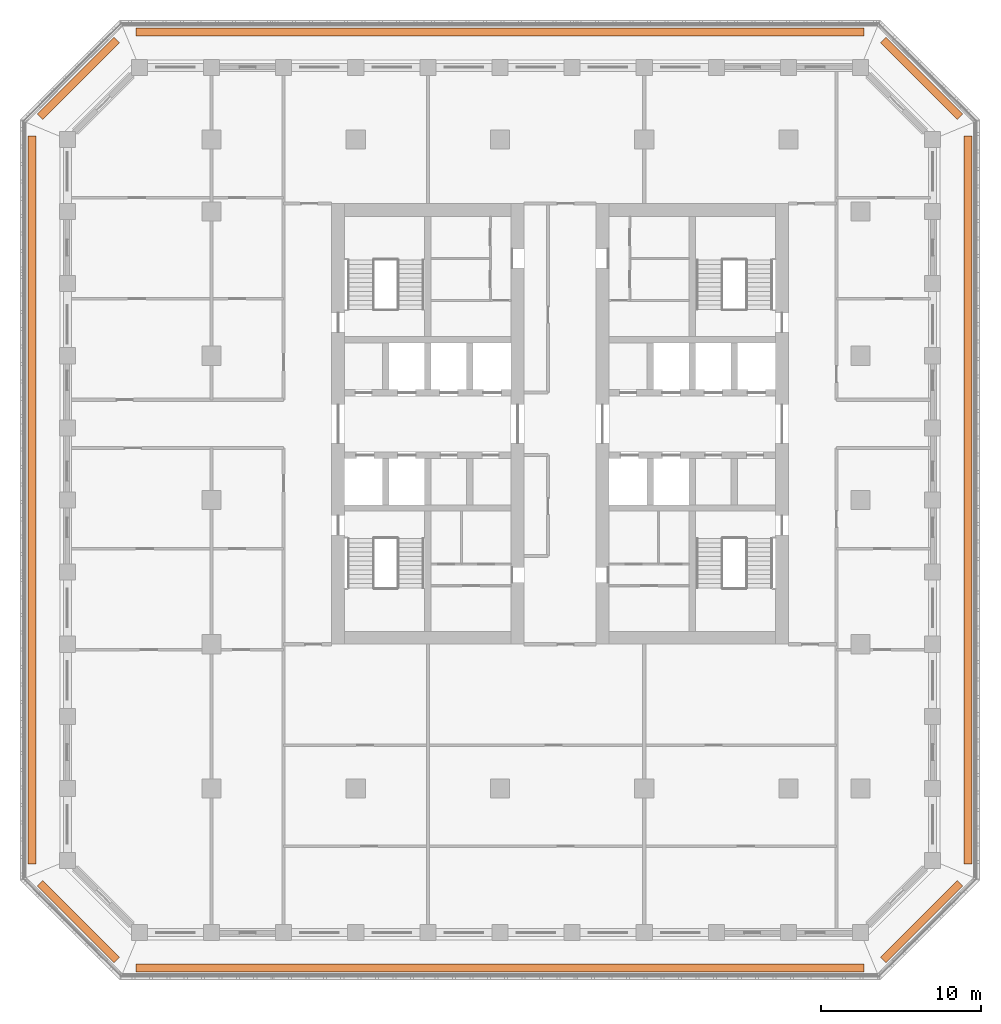
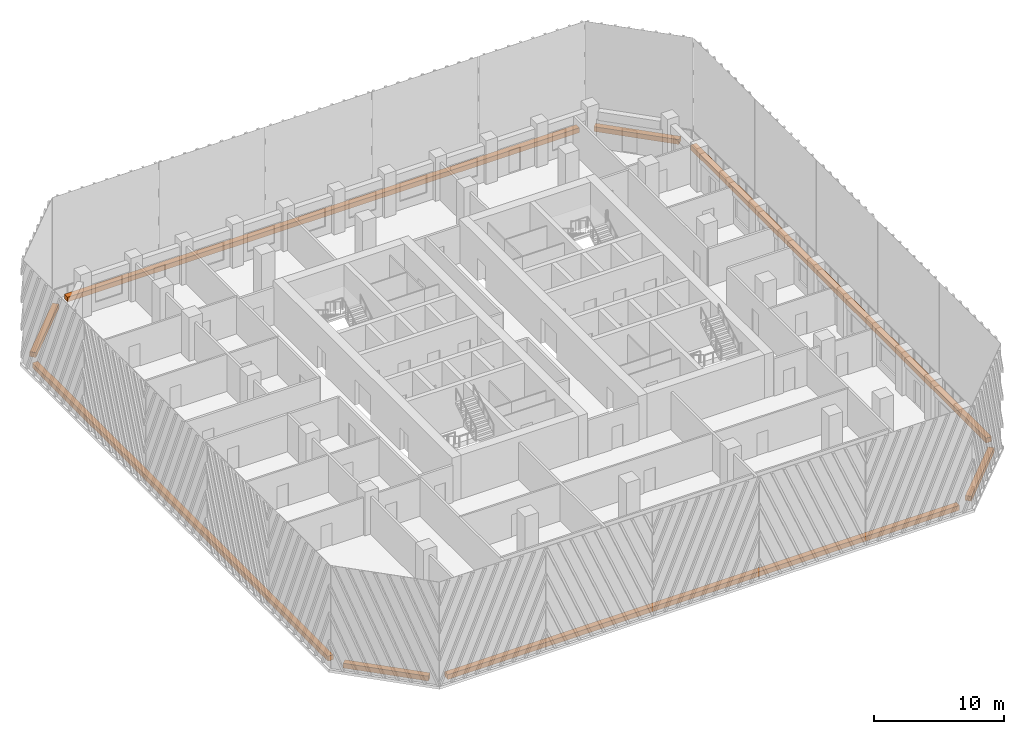
# One storey, part 18 of 18: 8 proxies.
"""IFC4 building model written with IfcOpenShell, lengths in metres."""

from ifc_helpers import new_model, si_unit, direction, frame, origin, origin_2d, place, context, subcontext, project, spatial, rectangle, extrude, material, type_object, element, save


model = new_model("IFC4")

# Units and contexts
model_context = context("Model", 3, precision=1e-05, world=origin(), true_north=direction((0.0, 1.0)))
body_context = subcontext(model_context, "Body", "Model", "MODEL_VIEW")
ifc_project = project(units=[si_unit("LENGTHUNIT", "METRE"), si_unit("AREAUNIT", "SQUARE_METRE"), si_unit("VOLUMEUNIT", "CUBIC_METRE"), si_unit("PLANEANGLEUNIT", "RADIAN"), si_unit("MASSUNIT", "GRAM", prefix="KILO")], contexts=[model_context])

# Site, building, storey
site_placement = place(None, origin())
site = spatial("IfcSite", under=ifc_project, at=site_placement, CompositionType="ELEMENT")
building_placement = place(site_placement, origin())
building = spatial("IfcBuilding", under=site, at=building_placement, Name="Corbel Stack Research Tower", CompositionType="ELEMENT")
storey_placement = place(building_placement, frame((0.0, 0.0, 181.39990234375)))
storey = spatial("IfcBuildingStorey", under=building, at=storey_placement, Name="L41", CompositionType="ELEMENT", Elevation=181.39990234375)

# Proxies
ifc_material = material(Name="Concrete C45/55", Category="concrete")
building_element_proxy_type = type_object("IfcBuildingElementProxyType", Name="Planter box", PredefinedType="USERDEFINED", material=ifc_material)
proxy_1_placement = place(storey_placement, frame((0.0, -29.199951171875, 0.0), z_axis=(0.0, 0.0, 1.0), x_axis=(1.0, 0.0, 0.0)))
element("IfcBuildingElementProxy", 1, at=proxy_1_placement, inside=storey, type_object=building_element_proxy_type, Name="Planter L41 S", ObjectType="PLANTER", PredefinedType="USERDEFINED", context=body_context, shape_type="SweptSolid", body=[
    extrude(rectangle(XDim=45.41064453125, YDim=0.5, at=origin_2d()), origin(), (0.0, 0.0, 1.0), 0.449951171875),
])
proxy_2_placement = place(storey_placement, frame((26.3056640625, -26.3056640625, 0.0), z_axis=(0.0, 0.0, 1.0), x_axis=(0.707106781187, 0.707106781187, 0.0)))
element("IfcBuildingElementProxy", 2, at=proxy_2_placement, inside=storey, type_object=building_element_proxy_type, Name="Planter L41 SE", ObjectType="PLANTER", PredefinedType="USERDEFINED", context=body_context, shape_type="SweptSolid", body=[
    extrude(rectangle(XDim=6.774658203125, YDim=0.5, at=origin_2d()), origin(), (0.0, 0.0, 1.0), 0.449951171875),
])
proxy_3_placement = place(storey_placement, frame((29.199951171875, 0.0, 0.0), z_axis=(0.0, 0.0, 1.0), x_axis=(0.0, 1.0, 0.0)))
element("IfcBuildingElementProxy", 3, at=proxy_3_placement, inside=storey, type_object=building_element_proxy_type, Name="Planter L41 E", ObjectType="PLANTER", PredefinedType="USERDEFINED", context=body_context, shape_type="SweptSolid", body=[
    extrude(rectangle(XDim=45.41064453125, YDim=0.5, at=origin_2d()), origin(), (0.0, 0.0, 1.0), 0.449951171875),
])
proxy_4_placement = place(storey_placement, frame((26.3056640625, 26.3056640625, 0.0), z_axis=(0.0, 0.0, 1.0), x_axis=(-0.707106781187, 0.707106781187, 0.0)))
element("IfcBuildingElementProxy", 4, at=proxy_4_placement, inside=storey, type_object=building_element_proxy_type, Name="Planter L41 NE", ObjectType="PLANTER", PredefinedType="USERDEFINED", context=body_context, shape_type="SweptSolid", body=[
    extrude(rectangle(XDim=6.774658203125, YDim=0.5, at=origin_2d()), origin(), (0.0, 0.0, 1.0), 0.449951171875),
])
proxy_5_placement = place(storey_placement, frame((0.0, 29.199951171875, 0.0), z_axis=(0.0, 0.0, 1.0), x_axis=(-1.0, 0.0, 0.0)))
element("IfcBuildingElementProxy", 5, at=proxy_5_placement, inside=storey, type_object=building_element_proxy_type, Name="Planter L41 N", ObjectType="PLANTER", PredefinedType="USERDEFINED", context=body_context, shape_type="SweptSolid", body=[
    extrude(rectangle(XDim=45.41064453125, YDim=0.5, at=origin_2d()), origin(), (0.0, 0.0, 1.0), 0.449951171875),
])
proxy_6_placement = place(storey_placement, frame((-26.3056640625, 26.3056640625, 0.0), z_axis=(0.0, 0.0, 1.0), x_axis=(-0.707106781187, -0.707106781187, 0.0)))
element("IfcBuildingElementProxy", 6, at=proxy_6_placement, inside=storey, type_object=building_element_proxy_type, Name="Planter L41 NW", ObjectType="PLANTER", PredefinedType="USERDEFINED", context=body_context, shape_type="SweptSolid", body=[
    extrude(rectangle(XDim=6.774658203125, YDim=0.5, at=origin_2d()), origin(), (0.0, 0.0, 1.0), 0.449951171875),
])
proxy_7_placement = place(storey_placement, frame((-29.199951171875, 0.0, 0.0), z_axis=(0.0, 0.0, 1.0), x_axis=(0.0, -1.0, 0.0)))
element("IfcBuildingElementProxy", 7, at=proxy_7_placement, inside=storey, type_object=building_element_proxy_type, Name="Planter L41 W", ObjectType="PLANTER", PredefinedType="USERDEFINED", context=body_context, shape_type="SweptSolid", body=[
    extrude(rectangle(XDim=45.41064453125, YDim=0.5, at=origin_2d()), origin(), (0.0, 0.0, 1.0), 0.449951171875),
])
proxy_8_placement = place(storey_placement, frame((-26.3056640625, -26.3056640625, 0.0), z_axis=(0.0, 0.0, 1.0), x_axis=(0.707106781187, -0.707106781187, 0.0)))
element("IfcBuildingElementProxy", 8, at=proxy_8_placement, inside=storey, type_object=building_element_proxy_type, Name="Planter L41 SW", ObjectType="PLANTER", PredefinedType="USERDEFINED", context=body_context, shape_type="SweptSolid", body=[
    extrude(rectangle(XDim=6.774658203125, YDim=0.5, at=origin_2d()), origin(), (0.0, 0.0, 1.0), 0.449951171875),
])

save(model, "model.ifc")
